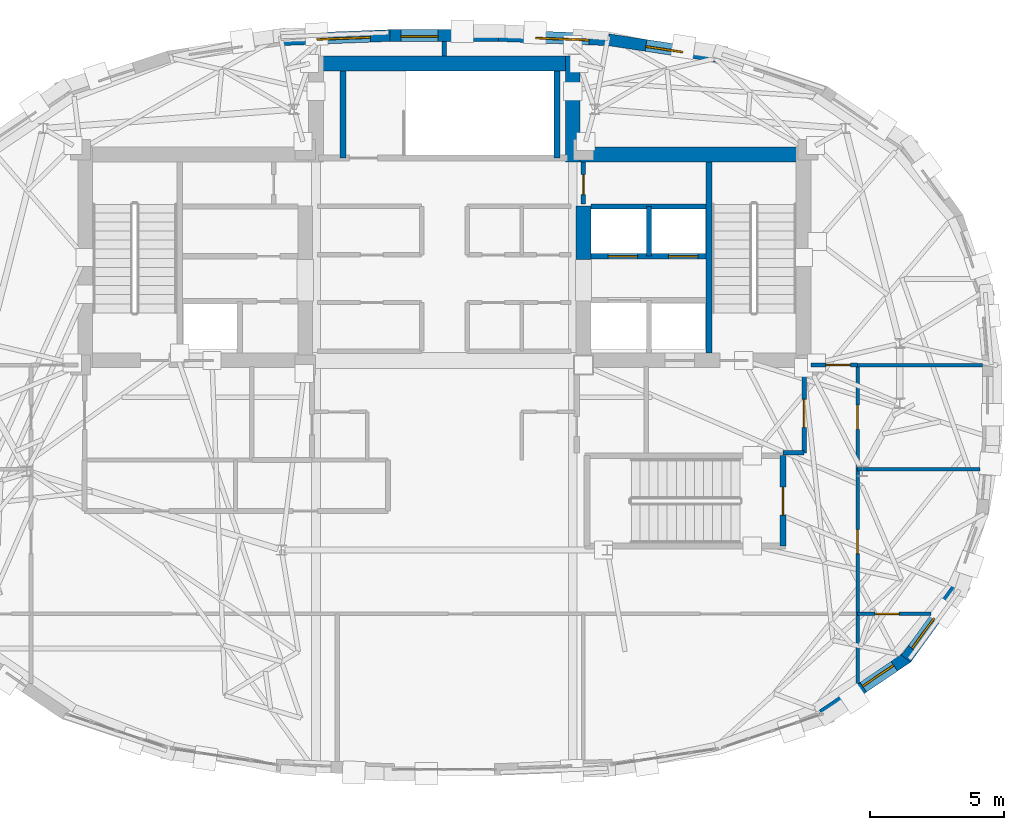
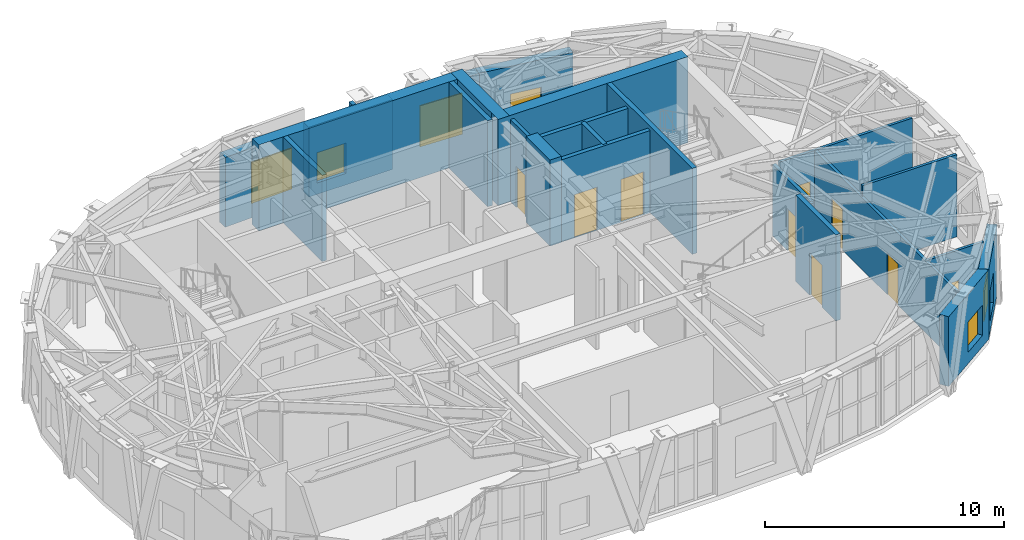
# One storey, part 12 of 16: 26 walls, 9 doors, 6 windows, 15 openings.
"""IFC4 building model written with IfcOpenShell, lengths in metres."""

from ifc_helpers import new_model, si_unit, direction, frame, frame_2d, origin, place, context, subcontext, project, spatial, rectangle, extrude, material, layer, layer_set, type_object, element, fill, save


model = new_model("IFC4")

# Units and contexts
model_context = context("Model", 3, precision=1e-05, world=origin(), true_north=direction((0.0, 1.0)))
body_context = subcontext(model_context, "Body", "Model", "MODEL_VIEW")
ifc_project = project(units=[si_unit("LENGTHUNIT", "METRE"), si_unit("AREAUNIT", "SQUARE_METRE"), si_unit("VOLUMEUNIT", "CUBIC_METRE"), si_unit("PLANEANGLEUNIT", "RADIAN"), si_unit("MASSUNIT", "GRAM", prefix="KILO")], contexts=[model_context])

# Site, building, storey
site_placement = place(None, origin())
site = spatial("IfcSite", under=ifc_project, at=site_placement, CompositionType="ELEMENT")
building_placement = place(site_placement, origin())
building = spatial("IfcBuilding", under=site, at=building_placement, Name="Keldmark Tower", CompositionType="ELEMENT")
storey_placement = place(building_placement, frame((0.0, 0.0, 264.800048828125)))
storey = spatial("IfcBuildingStorey", under=building, at=storey_placement, Name="L75", CompositionType="ELEMENT", Elevation=264.800048828125)

# Wall, openings, doors
ifc_material_1 = material(Name="Acoustic Double-Layer Gypsum Corridor Partition", Category="gypsum")
ifc_layer_1 = layer(ifc_material_1, 0.139892578125)
ifc_layer_set_1 = layer_set([ifc_layer_1], Name="Acoustic Double-Layer Gypsum Corridor Partition")
wall_type_1 = type_object("IfcWallType", Name="Acoustic Corridor Partition 140 mm", PredefinedType="PARTITIONING", material=ifc_layer_set_1)
wall_1_placement = place(storey_placement, frame((15.449951171875, -10.509033203125, 0.0), z_axis=(0.0, 0.0, 1.0), x_axis=(0.0, 1.0, 0.0)))
wall_1 = element("IfcWall", 1, at=wall_1_placement, inside=storey, type_object=wall_type_1, Name="L75 Acoustic Corridor Partition 140 mm COR-E", PredefinedType="PARTITIONING", context=body_context, shape_type="SweptSolid", body=[
    extrude(rectangle(XDim=11.908935546875, YDim=0.139892578125, at=frame_2d((5.95458984375, 0.0))), origin(), (0.0, 0.0, 1.0), 3.660888671875),
])
opening_1_placement = place(wall_1_placement, frame((4.858642578125, 0.0, 0.0)))
opening_1 = element("IfcOpeningElement", 2, at=opening_1_placement, cuts=wall_1, Name="Opening D-IN090", PredefinedType="OPENING", context=body_context, shape_type="SweptSolid", body=[
    extrude(rectangle(XDim=0.89990234375, YDim=2.10009765625, at=frame_2d((0.449951171875, 1.050048828125))), frame((0.0, 0.079833984375, 0.0), z_axis=(0.0, -1.0, 0.0), x_axis=(1.0, 0.0, 0.0)), (0.0, 0.0, 1.0), 0.159912109375),
])
opening_2_placement = place(wall_1_placement, frame((9.508544921875, 0.0, 0.0)))
opening_2 = element("IfcOpeningElement", 3, at=opening_2_placement, cuts=wall_1, Name="Opening D-IN090", PredefinedType="OPENING", context=body_context, shape_type="SweptSolid", body=[
    extrude(rectangle(XDim=0.89990234375, YDim=2.10009765625, at=frame_2d((0.449951171875, 1.050048828125))), frame((0.0, 0.079833984375, 0.0), z_axis=(0.0, -1.0, 0.0), x_axis=(1.0, 0.0, 0.0)), (0.0, 0.0, 1.0), 0.159912109375),
])
ifc_material_2 = material(Name="Stained American White Oak Veneer", Category="wood")
door_type_1 = type_object("IfcDoorType", Name="Interior Door 900x2100", OperationType="NOTDEFINED", PredefinedType="DOOR", material=ifc_material_2)
door_1_placement = place(opening_1_placement, origin())
door_1 = element("IfcDoor", 4, at=door_1_placement, inside=storey, type_object=door_type_1, Name="L75 Interior Door 900x2100 D-ER-1-L75", OperationType="SINGLE_SWING_RIGHT", OverallHeight=2.10009765625, OverallWidth=0.89990234375, PredefinedType="DOOR", context=body_context, shape_type="SweptSolid", body=[
    extrude(rectangle(XDim=0.89990234375, YDim=2.10009765625, at=frame_2d((0.449951171875, 1.050048828125))), frame((0.0, 0.02490234375, 0.0), z_axis=(0.0, -1.0, 0.0), x_axis=(1.0, 0.0, 0.0)), (0.0, 0.0, 1.0), 0.050048828125),
])
fill(opening_1, door_1)
door_2_placement = place(opening_2_placement, origin())
door_2 = element("IfcDoor", 5, at=door_2_placement, inside=storey, type_object=door_type_1, Name="L75 Interior Door 900x2100 D-ER-2-L75", OperationType="SINGLE_SWING_LEFT", OverallHeight=2.10009765625, OverallWidth=0.89990234375, PredefinedType="DOOR", context=body_context, shape_type="SweptSolid", body=[
    extrude(rectangle(XDim=0.89990234375, YDim=2.10009765625, at=frame_2d((0.449951171875, 1.050048828125))), frame((0.0, 0.02490234375, 0.0), z_axis=(0.0, -1.0, 0.0), x_axis=(1.0, 0.0, 0.0)), (0.0, 0.0, 1.0), 0.050048828125),
])
fill(opening_2, door_2)

# Wall, opening, door
wall_2_placement = place(storey_placement, frame((13.699951171875, 1.39990234375, 0.0), z_axis=(0.0, 0.0, 1.0), x_axis=(1.0, 0.0, 0.0)))
wall_2 = element("IfcWall", 6, at=wall_2_placement, inside=storey, type_object=wall_type_1, Name="L75 Acoustic Corridor Partition 140 mm COR-EN-CAP", PredefinedType="PARTITIONING", context=body_context, shape_type="SweptSolid", body=[
    extrude(rectangle(XDim=1.75, YDim=0.139892578125, at=frame_2d((0.875, 0.0))), origin(), (0.0, 0.0, 1.0), 3.660888671875),
])
opening_3_placement = place(wall_2_placement, frame((0.56005859375, 0.0, 0.0)))
opening_3 = element("IfcOpeningElement", 7, at=opening_3_placement, cuts=wall_2, Name="Opening D-EX092", PredefinedType="OPENING", context=body_context, shape_type="SweptSolid", body=[
    extrude(rectangle(XDim=0.919921875, YDim=2.14990234375, at=frame_2d((0.4599609375, 1.074951171875))), frame((0.0, 0.079833984375, 0.0), z_axis=(0.0, -1.0, 0.0), x_axis=(1.0, 0.0, 0.0)), (0.0, 0.0, 1.0), 0.159912109375),
])
ifc_material_3 = material(Name="Flush American Ash Executive Office Door", Category="wood")
door_type_2 = type_object("IfcDoorType", Name="Executive Office Door 920x2150", OperationType="NOTDEFINED", PredefinedType="DOOR", material=ifc_material_3)
door_3_placement = place(opening_3_placement, origin())
door_3 = element("IfcDoor", 8, at=door_3_placement, inside=storey, type_object=door_type_2, Name="L75 Executive Office Door 920x2150 D-NRNE-L75", OperationType="SINGLE_SWING_RIGHT", OverallHeight=2.14990234375, OverallWidth=0.919921875, PredefinedType="DOOR", context=body_context, shape_type="SweptSolid", body=[
    extrude(rectangle(XDim=0.919921875, YDim=2.14990234375, at=frame_2d((0.4599609375, 1.074951171875))), frame((0.0, 0.02490234375, 0.0), z_axis=(0.0, -1.0, 0.0), x_axis=(1.0, 0.0, 0.0)), (0.0, 0.0, 1.0), 0.050048828125),
])
fill(opening_3, door_3)

# Walls
ifc_material_4 = material(Name="STC-58 Insulated Tenant Demising Gypsum Partition", Category="gypsum")
ifc_layer_2 = layer(ifc_material_4, 0.175048828125)
ifc_layer_set_2 = layer_set([ifc_layer_2], Name="STC-58 Insulated Tenant Demising Gypsum Partition")
wall_type_2 = type_object("IfcWallType", Name="Demising Suite Partition 175 mm", PredefinedType="PARTITIONING", material=ifc_layer_set_2)
wall_3_placement = place(storey_placement, frame((0.0, 12.949951171875, 0.0), z_axis=(0.0, 0.0, 1.0), x_axis=(0.0, 1.0, 0.0)))
element("IfcWall", 9, at=wall_3_placement, inside=storey, type_object=wall_type_2, Name="L75 Demising Suite Partition 175 mm N-MID-DIV", PredefinedType="PARTITIONING", context=body_context, shape_type="SweptSolid", body=[
    extrude(rectangle(XDim=0.541015625, YDim=0.175048828125, at=frame_2d((0.2705078125, 0.0))), origin(), (0.0, 0.0, 1.0), 4.199951171875),
])
ifc_material_5 = material(Name="Concrete C50/60", Category="concrete")
ifc_layer_3 = layer(ifc_material_5, 0.550048828125)
ifc_layer_set_3 = layer_set([ifc_layer_3], Name="Concrete C50/60")
wall_type_3 = type_object("IfcWallType", Name="High-Rise Core Shear Wall 550 mm", PredefinedType="SHEAR", material=ifc_layer_set_3)
wall_4_placement = place(storey_placement, frame((4.52490234375, 9.27490234375, 0.0), z_axis=(0.0, 0.0, 1.0), x_axis=(1.0, 0.0, 0.0)))
element("IfcWall", 10, at=wall_4_placement, inside=storey, type_object=wall_type_3, Name="L75 East Core North Shear Wall", PredefinedType="SHEAR", context=body_context, shape_type="SweptSolid", body=[
    extrude(rectangle(XDim=9.175048828125, YDim=0.550048828125, at=frame_2d((4.58740234375, 0.0))), origin(), (0.0, 0.0, 1.0), 4.39990234375),
])
wall_5_placement = place(storey_placement, frame((5.199951171875, 5.35009765625, 0.0), z_axis=(0.0, 0.0, 1.0), x_axis=(0.0, 1.0, 0.0)))
element("IfcWall", 11, at=wall_5_placement, inside=storey, type_object=wall_type_3, Name="L75 East Core Inner Shear Pier North", PredefinedType="SHEAR", context=body_context, shape_type="SweptSolid", body=[
    extrude(rectangle(XDim=2.0, YDim=0.550048828125, at=frame_2d((1.0, 0.0))), origin(), (0.0, 0.0, 1.0), 4.39990234375),
])
wall_6_placement = place(storey_placement, frame((-5.074951171875, 12.675048828125, 0.0), z_axis=(0.0, 0.0, 1.0), x_axis=(1.0, 0.0, 0.0)))
element("IfcWall", 12, at=wall_6_placement, inside=storey, type_object=wall_type_3, Name="L75 North Core Shear Wall", PredefinedType="SHEAR", context=body_context, shape_type="SweptSolid", body=[
    extrude(rectangle(XDim=10.14990234375, YDim=0.550048828125, at=frame_2d((5.074951171875, 0.0))), origin(), (0.0, 0.0, 1.0), 4.39990234375),
])
wall_7_placement = place(storey_placement, frame((4.800048828125, 9.0, 0.0), z_axis=(0.0, 0.0, 1.0), x_axis=(0.0, 1.0, 0.0)))
element("IfcWall", 13, at=wall_7_placement, inside=storey, type_object=wall_type_3, Name="L75 North Core East Shear Wall", PredefinedType="SHEAR", context=body_context, shape_type="SweptSolid", body=[
    extrude(rectangle(XDim=3.949951171875, YDim=0.550048828125, at=frame_2d((1.97509765625, 0.0))), origin(), (0.0, 0.0, 1.0), 4.39990234375),
])
ifc_material_6 = material(Name="Acoustic Gypsum Board Interior Partition", Category="gypsum")
ifc_layer_4 = layer(ifc_material_6, 0.1298828125)
ifc_layer_set_4 = layer_set([ifc_layer_4], Name="Acoustic Gypsum Board Interior Partition")
wall_type_4 = type_object("IfcWallType", Name="Interior Partition 130 mm", PredefinedType="PARTITIONING", material=ifc_layer_set_4)
wall_8_placement = place(storey_placement, frame((15.449951171875, 1.39990234375, 0.0), z_axis=(0.0, 0.0, 1.0), x_axis=(1.0, 0.0, 0.0)))
element("IfcWall", 14, at=wall_8_placement, inside=storey, type_object=wall_type_4, Name="L75 Interior Partition 130 mm E-CAP-N", PredefinedType="PARTITIONING", context=body_context, shape_type="SweptSolid", body=[
    extrude(rectangle(XDim=4.659423828125, YDim=0.1298828125, at=frame_2d((2.32958984375, 0.0))), origin(), (0.0, 0.0, 1.0), 3.660888671875),
])

# Wall, opening, door
wall_9_placement = place(storey_placement, frame((15.449951171875, -7.89990234375, 0.0), z_axis=(0.0, 0.0, 1.0), x_axis=(1.0, 0.0, 0.0)))
wall_9 = element("IfcWall", 15, at=wall_9_placement, inside=storey, type_object=wall_type_4, Name="L75 Interior Partition 130 mm E-CAP-S", PredefinedType="PARTITIONING", context=body_context, shape_type="SweptSolid", body=[
    extrude(rectangle(XDim=2.744384765625, YDim=0.1298828125, at=frame_2d((1.3720703125, 0.0))), origin(), (0.0, 0.0, 1.0), 3.660888671875),
])
opening_4_placement = place(wall_9_placement, frame((0.64990234375, 0.0, 0.0)))
opening_4 = element("IfcOpeningElement", 16, at=opening_4_placement, cuts=wall_9, Name="Opening D-IN090", PredefinedType="OPENING", context=body_context, shape_type="SweptSolid", body=[
    extrude(rectangle(XDim=0.89990234375, YDim=2.10009765625, at=frame_2d((0.449951171875, 1.050048828125))), frame((0.0, 0.074951171875, 0.0), z_axis=(0.0, -1.0, 0.0), x_axis=(1.0, 0.0, 0.0)), (0.0, 0.0, 1.0), 0.14990234375),
])
door_4_placement = place(opening_4_placement, origin())
door_4 = element("IfcDoor", 17, at=door_4_placement, inside=storey, type_object=door_type_1, Name="L75 Interior Door 900x2100 D-ERSE-L75", OperationType="SINGLE_SWING_RIGHT", OverallHeight=2.10009765625, OverallWidth=0.89990234375, PredefinedType="DOOR", context=body_context, shape_type="SweptSolid", body=[
    extrude(rectangle(XDim=0.89990234375, YDim=2.10009765625, at=frame_2d((0.449951171875, 1.050048828125))), frame((0.0, 0.02490234375, 0.0), z_axis=(0.0, -1.0, 0.0), x_axis=(1.0, 0.0, 0.0)), (0.0, 0.0, 1.0), 0.050048828125),
])
fill(opening_4, door_4)

# Wall
wall_10_placement = place(storey_placement, frame((15.449951171875, -2.5, 0.0), z_axis=(0.0, 0.0, 1.0), x_axis=(1.0, 0.0, 0.0)))
element("IfcWall", 18, at=wall_10_placement, inside=storey, type_object=wall_type_4, Name="L75 Interior Partition 130 mm E-DIV-1", PredefinedType="PARTITIONING", context=body_context, shape_type="SweptSolid", body=[
    extrude(rectangle(XDim=4.567138671875, YDim=0.1298828125, at=frame_2d((2.28369140625, 0.0))), origin(), (0.0, 0.0, 1.0), 4.199951171875),
])

# Wall, opening, door
ifc_material_7 = material(Name="Type X Fire-Rated Gypsum Partition Assembly", Category="gypsum")
ifc_layer_5 = layer(ifc_material_7, 0.1650390625)
ifc_layer_set_5 = layer_set([ifc_layer_5], Name="Type X Fire-Rated Gypsum Partition Assembly")
wall_type_5 = type_object("IfcWallType", Name="Rated Partition 165 mm", PredefinedType="PARTITIONING", material=ifc_layer_set_5)
wall_11_placement = place(storey_placement, frame((13.449951171875, -1.8798828125, 0.0), z_axis=(0.0, 0.0, 1.0), x_axis=(0.0, 1.0, 0.0)))
wall_11 = element("IfcWall", 19, at=wall_11_placement, inside=storey, type_object=wall_type_5, Name="L75 Rated Partition 165 mm FSAE-E-E", PredefinedType="PARTITIONING", context=body_context, shape_type="SweptSolid", body=[
    extrude(rectangle(XDim=3.22998046875, YDim=0.1650390625, at=frame_2d((1.614990234375, 0.0))), origin(), (0.0, 0.0, 1.0), 3.660888671875),
])
opening_5_placement = place(wall_11_placement, frame((0.949951171875, 0.0, 0.0)))
opening_5 = element("IfcOpeningElement", 20, at=opening_5_placement, cuts=wall_11, Name="Opening D-FL105", PredefinedType="OPENING", context=body_context, shape_type="SweptSolid", body=[
    extrude(rectangle(XDim=1.050048828125, YDim=2.14990234375, at=frame_2d((0.52490234375, 1.074951171875))), frame((0.0, 0.092529296875, 0.0), z_axis=(0.0, -1.0, 0.0), x_axis=(1.0, 0.0, 0.0)), (0.0, 0.0, 1.0), 0.18505859375),
])
ifc_material_8 = material(Name="Fire-Rated Mineral-Core Door and Vision Lite", Category="metal")
door_type_3 = type_object("IfcDoorType", Name="Fire Lobby Door 1050x2150", OperationType="NOTDEFINED", PredefinedType="DOOR", material=ifc_material_8)
door_5_placement = place(opening_5_placement, origin())
door_5 = element("IfcDoor", 21, at=door_5_placement, inside=storey, type_object=door_type_3, Name="L75 Fire Lobby Door 1050x2150 D-FSAEE-OUT-L75", OperationType="SINGLE_SWING_LEFT", OverallHeight=2.14990234375, OverallWidth=1.050048828125, PredefinedType="DOOR", context=body_context, shape_type="SweptSolid", body=[
    extrude(rectangle(XDim=1.050048828125, YDim=2.14990234375, at=frame_2d((0.52490234375, 1.074951171875))), frame((0.0, 0.02490234375, 0.0), z_axis=(0.0, -1.0, 0.0), x_axis=(1.0, 0.0, 0.0)), (0.0, 0.0, 1.0), 0.050048828125),
])
fill(opening_5, door_5)

# Wall
wall_12_placement = place(storey_placement, frame((12.659912109375, -1.8798828125, 0.0), z_axis=(0.0, 0.0, 1.0), x_axis=(1.0, 0.0, 0.0)))
element("IfcWall", 22, at=wall_12_placement, inside=storey, type_object=wall_type_5, Name="L75 Rated Partition 165 mm FSAE-E-S", PredefinedType="PARTITIONING", context=body_context, shape_type="SweptSolid", body=[
    extrude(rectangle(XDim=0.7900390625, YDim=0.1650390625, at=frame_2d((0.39501953125, 0.0))), origin(), (0.0, 0.0, 1.0), 3.660888671875),
])

# Wall, opening, door
wall_13_placement = place(storey_placement, frame((5.199951171875, 7.419921875, 0.0), z_axis=(0.0, 0.0, 1.0), x_axis=(0.0, 1.0, 0.0)))
wall_13 = element("IfcWall", 23, at=wall_13_placement, inside=storey, type_object=wall_type_5, Name="L75 Rated Partition 165 mm CS-NE-W", PredefinedType="PARTITIONING", context=body_context, shape_type="SweptSolid", body=[
    extrude(rectangle(XDim=1.580078125, YDim=0.1650390625, at=frame_2d((0.7900390625, 0.0))), origin(), (0.0, 0.0, 1.0), 4.199951171875),
])
opening_6_placement = place(wall_13_placement, frame((0.35009765625, 0.0, 0.0)))
opening_6 = element("IfcOpeningElement", 24, at=opening_6_placement, cuts=wall_13, Name="Opening D-RS075", PredefinedType="OPENING", context=body_context, shape_type="SweptSolid", body=[
    extrude(rectangle(XDim=0.75, YDim=2.10009765625, at=frame_2d((0.375, 1.050048828125))), frame((0.0, 0.092529296875, 0.0), z_axis=(0.0, -1.0, 0.0), x_axis=(1.0, 0.0, 0.0)), (0.0, 0.0, 1.0), 0.18505859375),
])
ifc_material_9 = material(Name="Galvanized Fire-Rated Access Leaf", Category="metal")
door_type_4 = type_object("IfcDoorType", Name="Riser Access Door 750x2100", OperationType="NOTDEFINED", PredefinedType="DOOR", material=ifc_material_9)
door_6_placement = place(opening_6_placement, origin())
door_6 = element("IfcDoor", 25, at=door_6_placement, inside=storey, type_object=door_type_4, Name="L75 Riser Access Door 750x2100 D-CSNE1-L75", OperationType="SINGLE_SWING_LEFT", OverallHeight=2.10009765625, OverallWidth=0.75, PredefinedType="DOOR", context=body_context, shape_type="SweptSolid", body=[
    extrude(rectangle(XDim=0.75, YDim=2.10009765625, at=frame_2d((0.375, 1.050048828125))), frame((0.0, 0.02490234375, 0.0), z_axis=(0.0, -1.0, 0.0), x_axis=(1.0, 0.0, 0.0)), (0.0, 0.0, 1.0), 0.050048828125),
])
fill(opening_6, door_6)

# Wall, openings, doors
ifc_material_10 = material(Name="Fire-Resistant Type X Gypsum Shaftliner Coreboard", Category="gypsum")
ifc_layer_6 = layer(ifc_material_10, 0.199951171875)
ifc_layer_set_6 = layer_set([ifc_layer_6], Name="Fire-Resistant Type X Gypsum Shaftliner Coreboard")
wall_type_6 = type_object("IfcWallType", Name="Shaft Wall 200 mm", PredefinedType="SOLIDWALL", material=ifc_layer_set_6)
wall_14_placement = place(storey_placement, frame((5.47509765625, 5.469970703125, 0.0), z_axis=(0.0, 0.0, 1.0), x_axis=(1.0, 0.0, 0.0)))
wall_14 = element("IfcWall", 26, at=wall_14_placement, inside=storey, type_object=wall_type_6, Name="L75 Shaft Wall 200 mm HW-E-N", PredefinedType="SOLIDWALL", context=body_context, shape_type="SweptSolid", body=[
    extrude(rectangle(XDim=4.304931640625, YDim=0.199951171875, at=frame_2d((2.15234375, 0.0))), origin(), (0.0, 0.0, 1.0), 4.199951171875),
])
opening_7_placement = place(wall_14_placement, frame((0.64990234375, 0.0, 0.0)))
opening_7 = element("IfcOpeningElement", 27, at=opening_7_placement, cuts=wall_14, Name="Opening LD-110", PredefinedType="OPENING", context=body_context, shape_type="SweptSolid", body=[
    extrude(rectangle(XDim=1.10009765625, YDim=2.199951171875, at=frame_2d((0.550048828125, 1.10009765625))), frame((0.0, 0.10986328125, 0.0), z_axis=(0.0, -1.0, 0.0), x_axis=(1.0, 0.0, 0.0)), (0.0, 0.0, 1.0), 0.219970703125),
])
opening_8_placement = place(wall_14_placement, frame((2.89990234375, 0.0, 0.0)))
opening_8 = element("IfcOpeningElement", 28, at=opening_8_placement, cuts=wall_14, Name="Opening LD-110", PredefinedType="OPENING", context=body_context, shape_type="SweptSolid", body=[
    extrude(rectangle(XDim=1.10009765625, YDim=2.199951171875, at=frame_2d((0.550048828125, 1.10009765625))), frame((0.0, 0.10986328125, 0.0), z_axis=(0.0, -1.0, 0.0), x_axis=(1.0, 0.0, 0.0)), (0.0, 0.0, 1.0), 0.219970703125),
])
ifc_material_11 = material(Name="Brushed Bronze Hoistway Sliding Leaf", Category="metal")
door_type_5 = type_object("IfcDoorType", Name="Lift Landing Sliding Door 1100x2200", OperationType="SLIDING_TO_LEFT", PredefinedType="DOOR", material=ifc_material_11)
door_7_placement = place(opening_7_placement, origin())
door_7 = element("IfcDoor", 29, at=door_7_placement, inside=storey, type_object=door_type_5, Name="L75 Lift Landing Sliding Door 1100x2200 LD-EL-OB1-L75", OperationType="SLIDING_TO_LEFT", OverallHeight=2.199951171875, OverallWidth=1.10009765625, PredefinedType="DOOR", context=body_context, shape_type="SweptSolid", body=[
    extrude(rectangle(XDim=1.10009765625, YDim=2.199951171875, at=frame_2d((0.550048828125, 1.10009765625))), frame((0.0, 0.02490234375, 0.0), z_axis=(0.0, -1.0, 0.0), x_axis=(1.0, 0.0, 0.0)), (0.0, 0.0, 1.0), 0.050048828125),
])
fill(opening_7, door_7)
door_8_placement = place(opening_8_placement, origin())
door_8 = element("IfcDoor", 30, at=door_8_placement, inside=storey, type_object=door_type_5, Name="L75 Lift Landing Sliding Door 1100x2200 LD-EL-OB2-L75", OperationType="SLIDING_TO_LEFT", OverallHeight=2.199951171875, OverallWidth=1.10009765625, PredefinedType="DOOR", context=body_context, shape_type="SweptSolid", body=[
    extrude(rectangle(XDim=1.10009765625, YDim=2.199951171875, at=frame_2d((0.550048828125, 1.10009765625))), frame((0.0, 0.02490234375, 0.0), z_axis=(0.0, -1.0, 0.0), x_axis=(1.0, 0.0, 0.0)), (0.0, 0.0, 1.0), 0.050048828125),
])
fill(opening_8, door_8)

# Walls
wall_15_placement = place(storey_placement, frame((5.47509765625, 7.330078125, 0.0), z_axis=(0.0, 0.0, 1.0), x_axis=(1.0, 0.0, 0.0)))
element("IfcWall", 31, at=wall_15_placement, inside=storey, type_object=wall_type_6, Name="L75 Shaft Wall 200 mm HW-E-TOP", PredefinedType="SOLIDWALL", context=body_context, shape_type="SweptSolid", body=[
    extrude(rectangle(XDim=4.304931640625, YDim=0.199951171875, at=frame_2d((2.15234375, 0.0))), origin(), (0.0, 0.0, 1.0), 4.199951171875),
])
wall_16_placement = place(storey_placement, frame((7.64990234375, 5.469970703125, 0.0), z_axis=(0.0, 0.0, 1.0), x_axis=(0.0, 1.0, 0.0)))
element("IfcWall", 32, at=wall_16_placement, inside=storey, type_object=wall_type_6, Name="L75 Shaft Wall 200 mm HW-E-NM", PredefinedType="SOLIDWALL", context=body_context, shape_type="SweptSolid", body=[
    extrude(rectangle(XDim=1.860107421875, YDim=0.199951171875, at=frame_2d((0.93017578125, 0.0))), origin(), (0.0, 0.0, 1.0), 4.199951171875),
])
ifc_material_12 = material(Name="Concrete C50/60", Category="concrete")
ifc_layer_7 = layer(ifc_material_12, 0.219970703125)
ifc_layer_set_7 = layer_set([ifc_layer_7], Name="Concrete C50/60")
wall_type_7 = type_object("IfcWallType", Name="Stair Core Shear Wall 220 mm", PredefinedType="SHEAR", material=ifc_layer_set_7)
wall_17_placement = place(storey_placement, frame((9.889892578125, 1.85009765625, 0.0), z_axis=(0.0, 0.0, 1.0), x_axis=(0.0, 1.0, 0.0)))
element("IfcWall", 33, at=wall_17_placement, inside=storey, type_object=wall_type_7, Name="L75 East Stair Core Shear Wall", PredefinedType="SHEAR", context=body_context, shape_type="SweptSolid", body=[
    extrude(rectangle(XDim=7.14990234375, YDim=0.219970703125, at=frame_2d((3.574951171875, 0.0))), origin(), (0.0, 0.0, 1.0), 4.39990234375),
])
for number, where, z_axis, x_axis, name in (
    (34, (-3.784912109375, 9.139892578125, 0.0), (0.0, 0.0, 1.0), (0.0, 1.0, 0.0), "L75 Central Stair Core West Shear Wall"),
    (35, (4.215087890625, 9.139892578125, 0.0), (0.0, 0.0, 1.0), (0.0, 1.0, 0.0), "L75 Central Stair Core East Shear Wall"),
):
    element("IfcWall", number, at=place(storey_placement, frame(where, z_axis=z_axis, x_axis=x_axis)), inside=storey, type_object=wall_type_7, Name=name, PredefinedType="SHEAR", context=body_context, shape_type="SweptSolid", body=[
        extrude(rectangle(XDim=3.260009765625, YDim=0.219970703125, at=frame_2d((1.6298828125, 0.0))), origin(), (0.0, 0.0, 1.0), 4.39990234375),
    ])

# Wall, opening, door
wall_18_placement = place(storey_placement, frame((12.659912109375, -5.360107421875, 0.0), z_axis=(0.0, 0.0, 1.0), x_axis=(0.0, 1.0, 0.0)))
wall_18 = element("IfcWall", 36, at=wall_18_placement, inside=storey, type_object=wall_type_7, Name="L75 East Crown Stair ST4 East Wall", PredefinedType="SHEAR", context=body_context, shape_type="SweptSolid", body=[
    extrude(rectangle(XDim=3.3701171875, YDim=0.219970703125, at=frame_2d((1.68505859375, 0.0))), origin(), (0.0, 0.0, 1.0), 4.39990234375),
])
opening_9_placement = place(wall_18_placement, frame((1.14990234375, 0.0, 0.0)))
opening_9 = element("IfcOpeningElement", 37, at=opening_9_placement, cuts=wall_18, Name="Opening D-ST105", PredefinedType="OPENING", context=body_context, shape_type="SweptSolid", body=[
    extrude(rectangle(XDim=1.050048828125, YDim=2.14990234375, at=frame_2d((0.52490234375, 1.074951171875))), frame((0.0, 0.119873046875, 0.0), z_axis=(0.0, -1.0, 0.0), x_axis=(1.0, 0.0, 0.0)), (0.0, 0.0, 1.0), 0.239990234375),
])
ifc_material_13 = material(Name="Hollow Metal Fire-Rated Door Assembly", Category="metal")
door_type_6 = type_object("IfcDoorType", Name="Stair Fire Door 1050x2150", OperationType="NOTDEFINED", PredefinedType="DOOR", material=ifc_material_13)
door_9_placement = place(opening_9_placement, origin())
door_9 = element("IfcDoor", 38, at=door_9_placement, inside=storey, type_object=door_type_6, Name="L75 Stair Fire Door 1050x2150 D-ST4-L75", OperationType="SINGLE_SWING_RIGHT", OverallHeight=2.14990234375, OverallWidth=1.050048828125, PredefinedType="DOOR", context=body_context, shape_type="SweptSolid", body=[
    extrude(rectangle(XDim=1.050048828125, YDim=2.14990234375, at=frame_2d((0.52490234375, 1.074951171875))), frame((0.0, 0.02490234375, 0.0), z_axis=(0.0, -1.0, 0.0), x_axis=(1.0, 0.0, 0.0)), (0.0, 0.0, 1.0), 0.050048828125),
])
fill(opening_9, door_9)

# Wall, opening, window
ifc_material_14 = material(Name="Ironspot Manganese Brick and Kasota Buff Limestone Spandrel Assembly", Category="masonry")
ifc_layer_8 = layer(ifc_material_14, 0.43994140625)
ifc_layer_set_8 = layer_set([ifc_layer_8], Name="Ironspot Manganese Brick and Kasota Buff Limestone Spandrel Assembly")
wall_type_8 = type_object("IfcWallType", Name="Tower Brick Pier and Spandrel Wall 440 mm", PredefinedType="STANDARD", material=ifc_layer_set_8)
wall_19_placement = place(storey_placement, frame((6.132568359375, 13.561767578125, 0.0), z_axis=(0.0, 0.0, 1.0), x_axis=(0.988636872831, -0.150323430242, 0.0)))
wall_19 = element("IfcWall", 39, at=wall_19_placement, inside=storey, type_object=wall_type_8, Name="L75 Exterior Brick and Spandrel Wall 06", PredefinedType="STANDARD", context=body_context, shape_type="SweptSolid", body=[
    extrude(rectangle(XDim=4.243896484375, YDim=0.43994140625, at=frame_2d((2.1220703125, 0.0))), origin(), (0.0, 0.0, 1.0), 3.56591796875),
])
opening_10_placement = place(wall_19_placement, frame((1.421875, 0.0, 0.60009765625)))
opening_10 = element("IfcOpeningElement", 40, at=opening_10_placement, cuts=wall_19, Name="Opening W-08", PredefinedType="OPENING", context=body_context, shape_type="SweptSolid", body=[
    extrude(rectangle(XDim=1.39990234375, YDim=1.550048828125, at=frame_2d((0.699951171875, 0.77490234375))), frame((0.0, 0.22998046875, 0.0), z_axis=(0.0, -1.0, 0.0), x_axis=(1.0, 0.0, 0.0)), (0.0, 0.0, 1.0), 0.4599609375),
])
ifc_material_15 = material(Name="Thermally Broken Anodized Aluminum and Triple Low-E Argon Glazing", Category="aluminium")
window_type_1 = type_object("IfcWindowType", Name="Residential Corner Punched Window 1400x1550", PartitioningType="SINGLE_PANEL", PredefinedType="WINDOW", material=ifc_material_15)
window_1_placement = place(opening_10_placement, origin())
window_1 = element("IfcWindow", 41, at=window_1_placement, inside=storey, type_object=window_type_1, Name="L75 Deep-Set Window 06", OverallHeight=1.550048828125, OverallWidth=1.39990234375, PartitioningType="SINGLE_PANEL", PredefinedType="WINDOW", context=body_context, shape_type="SweptSolid", body=[
    extrude(rectangle(XDim=1.39990234375, YDim=1.550048828125, at=frame_2d((0.699951171875, 0.77490234375))), frame((0.0, -0.010009765625, 0.0), z_axis=(0.0, -1.0, 0.0), x_axis=(1.0, 0.0, 0.0)), (0.0, 0.0, 1.0), 0.06005859375),
])
fill(opening_10, window_1)

wall_20_placement = place(storey_placement, frame((2.0166015625, 13.71923828125, 0.0), z_axis=(0.0, 0.0, 1.0), x_axis=(0.999255070078, -0.038591513614, 0.0)))
wall_20 = element("IfcWall", 42, at=wall_20_placement, inside=storey, type_object=wall_type_8, Name="L75 Exterior Brick and Spandrel Wall 07", PredefinedType="STANDARD", context=body_context, shape_type="SweptSolid", body=[
    extrude(rectangle(XDim=4.143798828125, YDim=0.43994140625, at=frame_2d((2.07177734375, 0.0))), origin(), (0.0, 0.0, 1.0), 3.56591796875),
])
opening_11_placement = place(wall_20_placement, frame((1.395751953125, 0.0, 0.60009765625)))
opening_11 = element("IfcOpeningElement", 43, at=opening_11_placement, cuts=wall_20, Name="Opening W-06", PredefinedType="OPENING", context=body_context, shape_type="SweptSolid", body=[
    extrude(rectangle(XDim=2.0, YDim=2.10009765625, at=frame_2d((1.0, 1.050048828125))), frame((0.0, 0.22998046875, 0.0), z_axis=(0.0, -1.0, 0.0), x_axis=(1.0, 0.0, 0.0)), (0.0, 0.0, 1.0), 0.4599609375),
])
ifc_material_16 = material(Name="Thermally Broken Anodized Aluminum and Triple Low-E Argon Glazing", Category="aluminium")
window_type_2 = type_object("IfcWindowType", Name="Sky Lounge Tall Punched Window 2000x2100", PartitioningType="SINGLE_PANEL", PredefinedType="WINDOW", material=ifc_material_16)
window_2_placement = place(opening_11_placement, origin())
window_2 = element("IfcWindow", 44, at=window_2_placement, inside=storey, type_object=window_type_2, Name="L75 Deep-Set Window 07", OverallHeight=2.10009765625, OverallWidth=2.0, PartitioningType="SINGLE_PANEL", PredefinedType="WINDOW", context=body_context, shape_type="SweptSolid", body=[
    extrude(rectangle(XDim=2.0, YDim=2.10009765625, at=frame_2d((1.0, 1.050048828125))), frame((0.0, -0.010009765625, 0.0), z_axis=(0.0, -1.0, 0.0), x_axis=(1.0, 0.0, 0.0)), (0.0, 0.0, 1.0), 0.06005859375),
])
fill(opening_11, window_2)

wall_21_placement = place(storey_placement, frame((-2.025146484375, 13.718994140625, 0.0), z_axis=(0.0, 0.0, 1.0), x_axis=(1.0, 0.0, 0.0)))
wall_21 = element("IfcWall", 45, at=wall_21_placement, inside=storey, type_object=wall_type_8, Name="L75 Exterior Brick and Spandrel Wall 08", PredefinedType="STANDARD", context=body_context, shape_type="SweptSolid", body=[
    extrude(rectangle(XDim=4.05029296875, YDim=0.43994140625, at=frame_2d((2.025146484375, 0.0))), origin(), (0.0, 0.0, 1.0), 3.570068359375),
])
opening_12_placement = place(wall_21_placement, frame((0.395751953125, 0.0, 0.580078125)))
opening_12 = element("IfcOpeningElement", 46, at=opening_12_placement, cuts=wall_21, Name="Opening W-08", PredefinedType="OPENING", context=body_context, shape_type="SweptSolid", body=[
    extrude(rectangle(XDim=1.39990234375, YDim=1.550048828125, at=frame_2d((0.699951171875, 0.77490234375))), frame((0.0, 0.22998046875, 0.0), z_axis=(0.0, -1.0, 0.0), x_axis=(1.0, 0.0, 0.0)), (0.0, 0.0, 1.0), 0.4599609375),
])
window_3_placement = place(opening_12_placement, origin())
window_3 = element("IfcWindow", 47, at=window_3_placement, inside=storey, type_object=window_type_1, Name="L75 Deep-Set Window 08", OverallHeight=1.550048828125, OverallWidth=1.39990234375, PartitioningType="SINGLE_PANEL", PredefinedType="WINDOW", context=body_context, shape_type="SweptSolid", body=[
    extrude(rectangle(XDim=1.39990234375, YDim=1.550048828125, at=frame_2d((0.699951171875, 0.77490234375))), frame((0.0, -0.010009765625, 0.0), z_axis=(0.0, -1.0, 0.0), x_axis=(1.0, 0.0, 0.0)), (0.0, 0.0, 1.0), 0.06005859375),
])
fill(opening_12, window_3)

wall_22_placement = place(storey_placement, frame((-6.1572265625, 13.559326171875, 0.0), z_axis=(0.0, 0.0, 1.0), x_axis=(0.999255070078, 0.038591513614, 0.0)))
wall_22 = element("IfcWall", 48, at=wall_22_placement, inside=storey, type_object=wall_type_8, Name="L75 Exterior Brick and Spandrel Wall 09", PredefinedType="STANDARD", context=body_context, shape_type="SweptSolid", body=[
    extrude(rectangle(XDim=4.143798828125, YDim=0.43994140625, at=frame_2d((2.07177734375, 0.0))), origin(), (0.0, 0.0, 1.0), 3.56591796875),
])
opening_13_placement = place(wall_22_placement, frame((1.395751953125, 0.0, 0.60009765625)))
opening_13 = element("IfcOpeningElement", 49, at=opening_13_placement, cuts=wall_22, Name="Opening W-06", PredefinedType="OPENING", context=body_context, shape_type="SweptSolid", body=[
    extrude(rectangle(XDim=2.0, YDim=2.10009765625, at=frame_2d((1.0, 1.050048828125))), frame((0.0, 0.22998046875, 0.0), z_axis=(0.0, -1.0, 0.0), x_axis=(1.0, 0.0, 0.0)), (0.0, 0.0, 1.0), 0.4599609375),
])
window_4_placement = place(opening_13_placement, origin())
window_4 = element("IfcWindow", 50, at=window_4_placement, inside=storey, type_object=window_type_2, Name="L75 Deep-Set Window 09", OverallHeight=2.10009765625, OverallWidth=2.0, PartitioningType="SINGLE_PANEL", PredefinedType="WINDOW", context=body_context, shape_type="SweptSolid", body=[
    extrude(rectangle(XDim=2.0, YDim=2.10009765625, at=frame_2d((1.0, 1.050048828125))), frame((0.0, -0.010009765625, 0.0), z_axis=(0.0, -1.0, 0.0), x_axis=(1.0, 0.0, 0.0)), (0.0, 0.0, 1.0), 0.06005859375),
])
fill(opening_13, window_4)

wall_23_placement = place(storey_placement, frame((17.315185546875, -9.52001953125, 0.0), z_axis=(0.0, 0.0, 1.0), x_axis=(-0.827730474906, -0.561125886867, 0.0)))
wall_23 = element("IfcWall", 51, at=wall_23_placement, inside=storey, type_object=wall_type_8, Name="L75 Exterior Brick and Spandrel Wall 28", PredefinedType="STANDARD", context=body_context, shape_type="SweptSolid", body=[
    extrude(rectangle(XDim=3.847900390625, YDim=0.43994140625, at=frame_2d((1.923828125, 0.0))), origin(), (0.0, 0.0, 1.0), 3.56591796875),
])
opening_14_placement = place(wall_23_placement, frame((0.599609375, 0.0, 0.580078125)))
opening_14 = element("IfcOpeningElement", 52, at=opening_14_placement, cuts=wall_23, Name="Opening W-08", PredefinedType="OPENING", context=body_context, shape_type="SweptSolid", body=[
    extrude(rectangle(XDim=1.39990234375, YDim=1.550048828125, at=frame_2d((0.699951171875, 0.77490234375))), frame((0.0, 0.22998046875, 0.0), z_axis=(0.0, -1.0, 0.0), x_axis=(1.0, 0.0, 0.0)), (0.0, 0.0, 1.0), 0.4599609375),
])
window_5_placement = place(opening_14_placement, origin())
window_5 = element("IfcWindow", 53, at=window_5_placement, inside=storey, type_object=window_type_1, Name="L75 Deep-Set Window 28", OverallHeight=1.550048828125, OverallWidth=1.39990234375, PartitioningType="SINGLE_PANEL", PredefinedType="WINDOW", context=body_context, shape_type="SweptSolid", body=[
    extrude(rectangle(XDim=1.39990234375, YDim=1.550048828125, at=frame_2d((0.699951171875, 0.77490234375))), frame((0.0, -0.010009765625, 0.0), z_axis=(0.0, -1.0, 0.0), x_axis=(1.0, 0.0, 0.0)), (0.0, 0.0, 1.0), 0.06005859375),
])
fill(opening_14, window_5)

wall_24_placement = place(storey_placement, frame((19.20654296875, -6.89501953125, 0.0), z_axis=(0.0, 0.0, 1.0), x_axis=(-0.5878953838, -0.808936967697, 0.0)))
wall_24 = element("IfcWall", 54, at=wall_24_placement, inside=storey, type_object=wall_type_8, Name="L75 Exterior Brick and Spandrel Wall 29", PredefinedType="STANDARD", context=body_context, shape_type="SweptSolid", body=[
    extrude(rectangle(XDim=3.310302734375, YDim=0.43994140625, at=frame_2d((1.6552734375, 0.0))), origin(), (0.0, 0.0, 1.0), 3.56591796875),
])
opening_15_placement = place(wall_24_placement, frame((1.466796875, 0.0, 0.580078125)))
opening_15 = element("IfcOpeningElement", 55, at=opening_15_placement, cuts=wall_24, Name="Opening W-08", PredefinedType="OPENING", context=body_context, shape_type="SweptSolid", body=[
    extrude(rectangle(XDim=1.39990234375, YDim=1.550048828125, at=frame_2d((0.699951171875, 0.77490234375))), frame((0.0, 0.22998046875, 0.0), z_axis=(0.0, -1.0, 0.0), x_axis=(1.0, 0.0, 0.0)), (0.0, 0.0, 1.0), 0.4599609375),
])
window_6_placement = place(opening_15_placement, origin())
window_6 = element("IfcWindow", 56, at=window_6_placement, inside=storey, type_object=window_type_1, Name="L75 Deep-Set Window 29", OverallHeight=1.550048828125, OverallWidth=1.39990234375, PartitioningType="SINGLE_PANEL", PredefinedType="WINDOW", context=body_context, shape_type="SweptSolid", body=[
    extrude(rectangle(XDim=1.39990234375, YDim=1.550048828125, at=frame_2d((0.699951171875, 0.77490234375))), frame((0.0, -0.010009765625, 0.0), z_axis=(0.0, -1.0, 0.0), x_axis=(1.0, 0.0, 0.0)), (0.0, 0.0, 1.0), 0.06005859375),
])
fill(opening_15, window_6)

save(model, "model.ifc")
